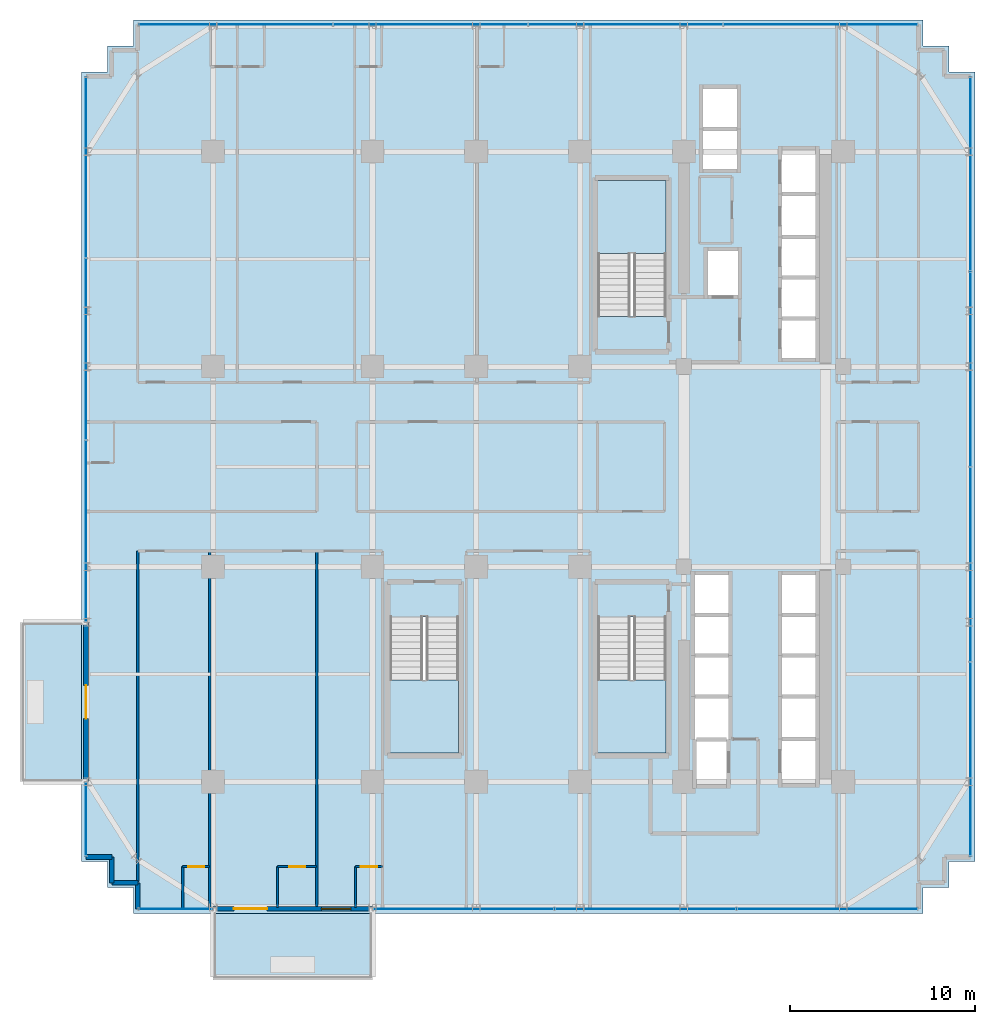
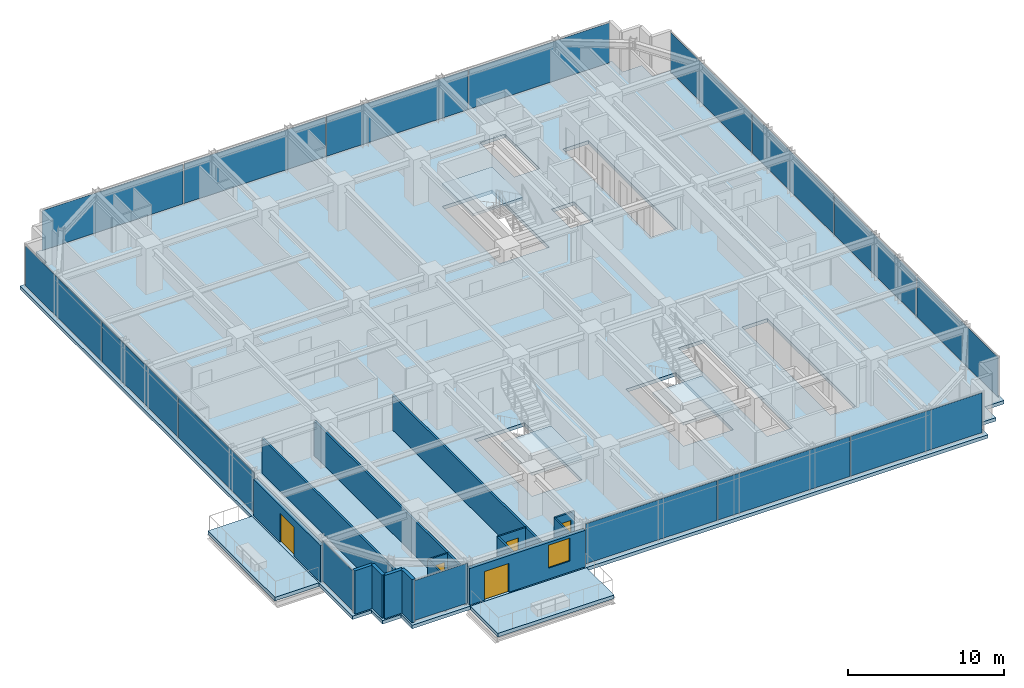
# One storey, part 25 of 32: 16 plates, 15 walls, 6 slabs, 5 doors, 1 window, 6 openings, 9 elements without a shape of their own.
"""IFC4 building model written with IfcOpenShell, lengths in metres."""

from ifc_helpers import new_model, si_unit, direction, frame, frame_2d, origin, origin_2d, place, context, subcontext, project, spatial, polyline, rectangle, outline, extrude, source, transform, mapped, material, layer, layer_set, type_object, element, fill, aggregate, save


model = new_model("IFC4")

# Units and contexts
model_context = context("Model", 3, precision=1e-05, world=origin(), true_north=direction((0.0, 1.0)))
body_context = subcontext(model_context, "Body", "Model", "MODEL_VIEW")
ifc_project = project(units=[si_unit("LENGTHUNIT", "METRE"), si_unit("AREAUNIT", "SQUARE_METRE"), si_unit("VOLUMEUNIT", "CUBIC_METRE"), si_unit("PLANEANGLEUNIT", "RADIAN"), si_unit("MASSUNIT", "GRAM", prefix="KILO")], contexts=[model_context])

# Site, building, storey
site_placement = place(None, origin())
site = spatial("IfcSite", under=ifc_project, at=site_placement, CompositionType="ELEMENT")
building_placement = place(site_placement, origin())
building = spatial("IfcBuilding", under=site, at=building_placement, Name="Nahalor Promenade Grand Hotel", CompositionType="ELEMENT")
storey_placement = place(building_placement, frame((0.0, 0.0, 124.800048828125)))
storey = spatial("IfcBuildingStorey", under=building, at=storey_placement, Name="L31", CompositionType="ELEMENT", Elevation=124.800048828125)

# Stair, slab
ifc_material_1 = material(Name="Concrete B-50 (C40/50)", Category="concrete")
stair_type_1 = type_object("IfcStairType", Name="Stair-ST1", PredefinedType="HALF_TURN_STAIR", material=ifc_material_1)
stair_1_placement = place(storey_placement, origin())
stair_1 = element("IfcStair", 1, at=stair_1_placement, inside=storey, type_object=stair_type_1, Name="L31 ST1", PredefinedType="HALF_TURN_STAIR")
ifc_layer_1 = layer(ifc_material_1, 0.199951171875)
ifc_layer_set_1 = layer_set([ifc_layer_1], Name="Concrete B-50 (C40/50)")
slab_type_1 = type_object("IfcSlabType", Name="Landing-ST1", PredefinedType="LANDING", material=ifc_layer_set_1)
slab_1_placement = place(storey_placement, frame((0.0, 0.0, 1.625)))
slab_1 = element("IfcSlab", 2, at=slab_1_placement, type_object=slab_type_1, Name="ST1 landing 1", PredefinedType="LANDING", context=body_context, shape_type="SweptSolid", body=[
    extrude(outline(polyline([(7.449951171875, 11.5), (7.449951171875, 15.449951171875), (3.75, 15.449951171875), (3.75, 11.5), (7.449951171875, 11.5)])), origin(), (0.0, 0.0, 1.0), 0.199951171875),
])
aggregate(stair_1, [slab_1])

stair_type_2 = type_object("IfcStairType", Name="Stair-ST2", PredefinedType="HALF_TURN_STAIR", material=ifc_material_1)
stair_2_placement = place(storey_placement, origin())
stair_2 = element("IfcStair", 3, at=stair_2_placement, inside=storey, type_object=stair_type_2, Name="L31 ST2", PredefinedType="HALF_TURN_STAIR")
ifc_layer_2 = layer(ifc_material_1, 0.2099609375)
ifc_layer_set_2 = layer_set([ifc_layer_2], Name="Concrete B-50 (C40/50)")
slab_type_2 = type_object("IfcSlabType", Name="Landing-ST2", PredefinedType="LANDING", material=ifc_layer_set_2)
slab_2_placement = place(storey_placement, frame((0.0, 0.0, 1.614990234375)))
slab_2 = element("IfcSlab", 4, at=slab_2_placement, type_object=slab_type_2, Name="ST2 landing 1", PredefinedType="LANDING", context=body_context, shape_type="SweptSolid", body=[
    extrude(outline(polyline([(3.75, -11.5), (3.75, -15.449951171875), (7.449951171875, -15.449951171875), (7.449951171875, -11.5), (3.75, -11.5)])), origin(), (0.0, 0.0, 1.0), 0.2099609375),
])
aggregate(stair_2, [slab_2])

stair_type_3 = type_object("IfcStairType", Name="Stair-ST3", PredefinedType="HALF_TURN_STAIR", material=ifc_material_1)
stair_3_placement = place(storey_placement, origin())
stair_3 = element("IfcStair", 5, at=stair_3_placement, inside=storey, type_object=stair_type_3, Name="L31 ST3", PredefinedType="HALF_TURN_STAIR")
ifc_layer_3 = layer(ifc_material_1, 0.219970703125)
ifc_layer_set_3 = layer_set([ifc_layer_3], Name="Concrete B-50 (C40/50)")
slab_type_3 = type_object("IfcSlabType", Name="Landing-ST3", PredefinedType="LANDING", material=ifc_layer_set_3)
slab_3_placement = place(storey_placement, frame((0.0, 0.0, 1.60498046875)))
slab_3 = element("IfcSlab", 6, at=slab_3_placement, type_object=slab_type_3, Name="ST3 landing 1", PredefinedType="LANDING", context=body_context, shape_type="SweptSolid", body=[
    extrude(outline(polyline([(-7.449951171875, -11.5), (-7.449951171875, -15.449951171875), (-3.75, -15.449951171875), (-3.75, -11.5), (-7.449951171875, -11.5)])), origin(), (0.0, 0.0, 1.0), 0.219970703125),
])
aggregate(stair_3, [slab_3])

# Slabs
ifc_layer_4 = layer(ifc_material_1, 0.280029296875)
ifc_layer_set_4 = layer_set([ifc_layer_4], Name="Concrete B-50 (C40/50)")
slab_type_4 = type_object("IfcSlabType", Name="Slab-Balcony-280", PredefinedType="FLOOR", material=ifc_layer_set_4)
slab_4_placement = place(storey_placement, frame((0.0, 0.0, -0.280029296875)))
element("IfcSlab", 7, at=slab_4_placement, inside=storey, type_object=slab_type_4, Name="L31 Cantilevered Planted Balcony 1", PredefinedType="FLOOR", context=body_context, shape_type="SweptSolid", body=[
    extrude(outline(polyline([(-17.0, -27.6298828125), (-8.39990234375, -27.6298828125), (-8.39990234375, -24.10009765625), (-17.0, -24.10009765625), (-17.0, -27.6298828125)])), origin(), (0.0, 0.0, 1.0), 0.280029296875),
])
slab_5_placement = place(storey_placement, frame((0.0, 0.0, -0.280029296875)))
element("IfcSlab", 8, at=slab_5_placement, inside=storey, type_object=slab_type_4, Name="L31 Cantilevered Planted Balcony 2", PredefinedType="FLOOR", context=body_context, shape_type="SweptSolid", body=[
    extrude(outline(polyline([(-27.35009765625, -17.0), (-24.10009765625, -17.0), (-24.10009765625, -8.39990234375), (-27.35009765625, -8.39990234375), (-27.35009765625, -17.0)])), origin(), (0.0, 0.0, 1.0), 0.280029296875),
])
ifc_layer_5 = layer(ifc_material_1, 0.27001953125)
ifc_layer_set_5 = layer_set([ifc_layer_5], Name="Concrete B-50 (C40/50)")
slab_type_5 = type_object("IfcSlabType", Name="Slab-TowerZ2-270", PredefinedType="FLOOR", material=ifc_layer_set_5)
slab_6_placement = place(storey_placement, frame((0.0, 0.0, -0.27001953125)))
element("IfcSlab", 9, at=slab_6_placement, inside=storey, type_object=slab_type_5, Name="L31 Suspended Structural Floor Slab", PredefinedType="FLOOR", context=body_context, shape_type="SweptSolid", body=[
    extrude(outline(polyline([(-21.300048828125, -24.10009765625), (21.300048828125, -24.10009765625), (21.300048828125, -22.699951171875), (22.699951171875, -22.699951171875), (22.699951171875, -21.300048828125), (24.10009765625, -21.300048828125), (24.10009765625, 21.300048828125), (22.699951171875, 21.300048828125), (22.699951171875, 22.699951171875), (21.300048828125, 22.699951171875), (21.300048828125, 24.10009765625), (-21.300048828125, 24.10009765625), (-21.300048828125, 22.699951171875), (-22.699951171875, 22.699951171875), (-22.699951171875, 21.300048828125), (-24.10009765625, 21.300048828125), (-24.10009765625, -21.300048828125), (-22.699951171875, -21.300048828125), (-22.699951171875, -22.699951171875), (-21.300048828125, -22.699951171875), (-21.300048828125, -24.10009765625)]), holes=[polyline([(3.75, 8.10009765625), (7.449951171875, 8.10009765625), (7.449951171875, 15.449951171875), (3.75, 15.449951171875), (3.75, 8.10009765625)]), polyline([(3.75, -15.449951171875), (7.449951171875, -15.449951171875), (7.449951171875, -8.10009765625), (3.75, -8.10009765625), (3.75, -15.449951171875)]), polyline([(-7.449951171875, -15.449951171875), (-3.75, -15.449951171875), (-3.75, -8.10009765625), (-7.449951171875, -8.10009765625), (-7.449951171875, -15.449951171875)]), polyline([(13.659912109375, 5.81005859375), (15.5400390625, 5.81005859375), (15.5400390625, 17.139892578125), (13.659912109375, 17.139892578125), (13.659912109375, 5.81005859375)]), polyline([(13.659912109375, -17.139892578125), (15.5400390625, -17.139892578125), (15.5400390625, -5.81005859375), (13.659912109375, -5.81005859375), (13.659912109375, -17.139892578125)]), polyline([(8.9599609375, -17.18994140625), (10.840087890625, -17.18994140625), (10.840087890625, -5.81005859375), (8.9599609375, -5.81005859375), (8.9599609375, -17.18994140625)]), polyline([(9.409912109375, 16.010009765625), (11.2900390625, 16.010009765625), (11.2900390625, 20.43994140625), (9.409912109375, 20.43994140625), (9.409912109375, 16.010009765625)]), polyline([(9.659912109375, 9.2099609375), (11.340087890625, 9.2099609375), (11.340087890625, 11.68994140625), (9.659912109375, 11.68994140625), (9.659912109375, 9.2099609375)])]), origin(), (0.0, 0.0, 1.0), 0.27001953125),
])

# Curtain wall, plate
ifc_material_2 = material(Name="Anodised Bronze Aluminium EN AW-6063 T6", Category="aluminium")
curtain_wall_type = type_object("IfcCurtainWallType", Name="CW2 Typical Hotel Flush Bronze Unitised Curtain Wall", PredefinedType="USERDEFINED", material=ifc_material_2)
curtain_wall_1_placement = place(storey_placement, origin())
curtain_wall_1 = element("IfcCurtainWall", 10, at=curtain_wall_1_placement, inside=storey, type_object=curtain_wall_type, Name="L31 Curtain Wall CW-L31-S-1", ObjectType="UNITISED_CURTAIN_WALL", PredefinedType="USERDEFINED")
ifc_material_3 = material(Name="Low-E Laminated Solar Glass", Category="glass")
ifc_layer_6 = layer(ifc_material_3, 0.028076171875)
ifc_layer_set_6 = layer_set([ifc_layer_6], Name="Low-E Laminated Solar Glass")
plate_type = type_object("IfcPlateType", Name="CWP2 Bronze Low-E Vision IGU 28mm", PredefinedType="CURTAIN_PANEL", material=ifc_layer_set_6)
shared_shape_1 = source(origin(), body_context, "Body", "SweptSolid", [
    extrude(rectangle(XDim=3.929931640625, YDim=0.028076171875, at=origin_2d()), origin(), (0.0, 0.0, 1.0), 3.1201171875),
])
plate_1_placement = place(storey_placement, frame((-19.030029296875, -23.860107421875, 0.1298828125), z_axis=(0.0, 0.0, 1.0), x_axis=(1.0, 0.0, 0.0)))
plate_1 = element("IfcPlate", 11, at=plate_1_placement, type_object=plate_type, Name="CW-L31-S-1 Glazing Panel 0-0", PredefinedType="CURTAIN_PANEL", context=body_context, shape_type="MappedRepresentation", body=[
    mapped(shared_shape_1, transform((0.0, 0.0, 0.0), scale=1.0)),
])
aggregate(curtain_wall_1, [plate_1])

curtain_wall_2_placement = place(storey_placement, origin())
curtain_wall_2 = element("IfcCurtainWall", 12, at=curtain_wall_2_placement, inside=storey, type_object=curtain_wall_type, Name="L31 Curtain Wall CW-L31-W-1", ObjectType="UNITISED_CURTAIN_WALL", PredefinedType="USERDEFINED")
plate_2_placement = place(storey_placement, frame((-23.860107421875, -19.030029296875, 0.1298828125), z_axis=(0.0, 0.0, 1.0), x_axis=(0.0, 1.0, 0.0)))
plate_2 = element("IfcPlate", 13, at=plate_2_placement, type_object=plate_type, Name="CW-L31-W-1 Glazing Panel 0-0", PredefinedType="CURTAIN_PANEL", context=body_context, shape_type="MappedRepresentation", body=[
    mapped(shared_shape_1, transform((0.0, 0.0, 0.0), scale=1.0)),
])
aggregate(curtain_wall_2, [plate_2])

# Curtain wall, plates
curtain_wall_3_placement = place(storey_placement, origin())
curtain_wall_3 = element("IfcCurtainWall", 14, at=curtain_wall_3_placement, inside=storey, type_object=curtain_wall_type, Name="L31 Curtain Wall CW-L31-S-3", ObjectType="UNITISED_CURTAIN_WALL", PredefinedType="USERDEFINED")
shared_shape_2 = source(origin(), body_context, "Body", "SweptSolid", [
    extrude(rectangle(XDim=9.722412109375, YDim=0.028076171875, at=origin_2d()), origin(), (0.0, 0.0, 1.0), 3.1201171875),
])
plate_3_placement = place(storey_placement, frame((-3.4736328125, -23.860107421875, 0.1298828125), z_axis=(0.0, 0.0, 1.0), x_axis=(1.0, 0.0, 0.0)))
plate_3 = element("IfcPlate", 15, at=plate_3_placement, type_object=plate_type, Name="CW-L31-S-3 Glazing Panel 0-0", PredefinedType="CURTAIN_PANEL", context=body_context, shape_type="MappedRepresentation", body=[
    mapped(shared_shape_2, transform((0.0, 0.0, 0.0), scale=1.0)),
])
plate_4_placement = place(storey_placement, frame((16.1337890625, -23.860107421875, 0.1298828125), z_axis=(0.0, 0.0, 1.0), x_axis=(1.0, 0.0, 0.0)))
plate_4 = element("IfcPlate", 16, at=plate_4_placement, type_object=plate_type, Name="CW-L31-S-3 Glazing Panel 2-0", PredefinedType="CURTAIN_PANEL", context=body_context, shape_type="MappedRepresentation", body=[
    mapped(shared_shape_2, transform((0.0, 0.0, 0.0), scale=1.0)),
])

curtain_wall_4_placement = place(storey_placement, origin())
curtain_wall_4 = element("IfcCurtainWall", 17, at=curtain_wall_4_placement, inside=storey, type_object=curtain_wall_type, Name="L31 Curtain Wall CW-L31-W-3", ObjectType="UNITISED_CURTAIN_WALL", PredefinedType="USERDEFINED")
plate_5_placement = place(storey_placement, frame((-23.860107421875, -3.4736328125, 0.1298828125), z_axis=(0.0, 0.0, 1.0), x_axis=(0.0, 1.0, 0.0)))
plate_5 = element("IfcPlate", 18, at=plate_5_placement, type_object=plate_type, Name="CW-L31-W-3 Glazing Panel 0-0", PredefinedType="CURTAIN_PANEL", context=body_context, shape_type="MappedRepresentation", body=[
    mapped(shared_shape_2, transform((0.0, 0.0, 0.0), scale=1.0)),
])
plate_6_placement = place(storey_placement, frame((-23.860107421875, 16.1337890625, 0.1298828125), z_axis=(0.0, 0.0, 1.0), x_axis=(0.0, 1.0, 0.0)))
plate_6 = element("IfcPlate", 19, at=plate_6_placement, type_object=plate_type, Name="CW-L31-W-3 Glazing Panel 2-0", PredefinedType="CURTAIN_PANEL", context=body_context, shape_type="MappedRepresentation", body=[
    mapped(shared_shape_2, transform((0.0, 0.0, 0.0), scale=1.0)),
])

# Plate
shared_shape_3 = source(origin(), body_context, "Body", "SweptSolid", [
    extrude(rectangle(XDim=9.7548828125, YDim=0.028076171875, at=origin_2d()), origin(), (0.0, 0.0, 1.0), 3.1201171875),
])
plate_7_placement = place(storey_placement, frame((6.330078125, -23.860107421875, 0.1298828125), z_axis=(0.0, 0.0, 1.0), x_axis=(1.0, 0.0, 0.0)))
plate_7 = element("IfcPlate", 20, at=plate_7_placement, type_object=plate_type, Name="CW-L31-S-3 Glazing Panel 1-0", PredefinedType="CURTAIN_PANEL", context=body_context, shape_type="MappedRepresentation", body=[
    mapped(shared_shape_3, transform((0.0, 0.0, 0.0), scale=1.0)),
])

aggregate(curtain_wall_3, [plate_3, plate_7, plate_4])

plate_8_placement = place(storey_placement, frame((-23.860107421875, 6.330078125, 0.1298828125), z_axis=(0.0, 0.0, 1.0), x_axis=(0.0, 1.0, 0.0)))
plate_8 = element("IfcPlate", 21, at=plate_8_placement, type_object=plate_type, Name="CW-L31-W-3 Glazing Panel 1-0", PredefinedType="CURTAIN_PANEL", context=body_context, shape_type="MappedRepresentation", body=[
    mapped(shared_shape_3, transform((0.0, 0.0, 0.0), scale=1.0)),
])

aggregate(curtain_wall_4, [plate_5, plate_8, plate_6])

# Curtain wall, plates
curtain_wall_5_placement = place(storey_placement, origin())
curtain_wall_5 = element("IfcCurtainWall", 22, at=curtain_wall_5_placement, inside=storey, type_object=curtain_wall_type, Name="L31 Curtain Wall CW-L31-N-1", ObjectType="UNITISED_CURTAIN_WALL", PredefinedType="USERDEFINED")
shared_shape_4 = source(origin(), body_context, "Body", "SweptSolid", [
    extrude(rectangle(XDim=10.4326171875, YDim=0.028076171875, at=origin_2d()), origin(), (0.0, 0.0, 1.0), 3.1201171875),
])
plate_9_placement = place(storey_placement, frame((-15.77880859375, 23.860107421875, 0.1298828125), z_axis=(0.0, 0.0, 1.0), x_axis=(1.0, 0.0, 0.0)))
plate_9 = element("IfcPlate", 23, at=plate_9_placement, type_object=plate_type, Name="CW-L31-N-1 Glazing Panel 0-0", PredefinedType="CURTAIN_PANEL", context=body_context, shape_type="MappedRepresentation", body=[
    mapped(shared_shape_4, transform((0.0, 0.0, 0.0), scale=1.0)),
])
plate_10_placement = place(storey_placement, frame((15.77880859375, 23.860107421875, 0.1298828125), z_axis=(0.0, 0.0, 1.0), x_axis=(1.0, 0.0, 0.0)))
plate_10 = element("IfcPlate", 24, at=plate_10_placement, type_object=plate_type, Name="CW-L31-N-1 Glazing Panel 3-0", PredefinedType="CURTAIN_PANEL", context=body_context, shape_type="MappedRepresentation", body=[
    mapped(shared_shape_4, transform((0.0, 0.0, 0.0), scale=1.0)),
])

curtain_wall_6_placement = place(storey_placement, origin())
curtain_wall_6 = element("IfcCurtainWall", 25, at=curtain_wall_6_placement, inside=storey, type_object=curtain_wall_type, Name="L31 Curtain Wall CW-L31-E-1", ObjectType="UNITISED_CURTAIN_WALL", PredefinedType="USERDEFINED")
plate_11_placement = place(storey_placement, frame((23.860107421875, -15.77880859375, 0.1298828125), z_axis=(0.0, 0.0, 1.0), x_axis=(0.0, 1.0, 0.0)))
plate_11 = element("IfcPlate", 26, at=plate_11_placement, type_object=plate_type, Name="CW-L31-E-1 Glazing Panel 0-0", PredefinedType="CURTAIN_PANEL", context=body_context, shape_type="MappedRepresentation", body=[
    mapped(shared_shape_4, transform((0.0, 0.0, 0.0), scale=1.0)),
])
plate_12_placement = place(storey_placement, frame((23.860107421875, 15.77880859375, 0.1298828125), z_axis=(0.0, 0.0, 1.0), x_axis=(0.0, 1.0, 0.0)))
plate_12 = element("IfcPlate", 27, at=plate_12_placement, type_object=plate_type, Name="CW-L31-E-1 Glazing Panel 3-0", PredefinedType="CURTAIN_PANEL", context=body_context, shape_type="MappedRepresentation", body=[
    mapped(shared_shape_4, transform((0.0, 0.0, 0.0), scale=1.0)),
])

# Plate
shared_shape_5 = source(origin(), body_context, "Body", "SweptSolid", [
    extrude(rectangle(XDim=10.465087890625, YDim=0.028076171875, at=origin_2d()), origin(), (0.0, 0.0, 1.0), 3.1201171875),
])
plate_13_placement = place(storey_placement, frame((-5.264892578125, 23.860107421875, 0.1298828125), z_axis=(0.0, 0.0, 1.0), x_axis=(1.0, 0.0, 0.0)))
plate_13 = element("IfcPlate", 28, at=plate_13_placement, type_object=plate_type, Name="CW-L31-N-1 Glazing Panel 1-0", PredefinedType="CURTAIN_PANEL", context=body_context, shape_type="MappedRepresentation", body=[
    mapped(shared_shape_5, transform((0.0, 0.0, 0.0), scale=1.0)),
])

plate_14_placement = place(storey_placement, frame((5.264892578125, 23.860107421875, 0.1298828125), z_axis=(0.0, 0.0, 1.0), x_axis=(1.0, 0.0, 0.0)))
plate_14 = element("IfcPlate", 29, at=plate_14_placement, type_object=plate_type, Name="CW-L31-N-1 Glazing Panel 2-0", PredefinedType="CURTAIN_PANEL", context=body_context, shape_type="MappedRepresentation", body=[
    mapped(shared_shape_5, transform((0.0, 0.0, 0.0), scale=1.0)),
])

aggregate(curtain_wall_5, [plate_9, plate_13, plate_14, plate_10])

plate_15_placement = place(storey_placement, frame((23.860107421875, -5.264892578125, 0.1298828125), z_axis=(0.0, 0.0, 1.0), x_axis=(0.0, 1.0, 0.0)))
plate_15 = element("IfcPlate", 30, at=plate_15_placement, type_object=plate_type, Name="CW-L31-E-1 Glazing Panel 1-0", PredefinedType="CURTAIN_PANEL", context=body_context, shape_type="MappedRepresentation", body=[
    mapped(shared_shape_5, transform((0.0, 0.0, 0.0), scale=1.0)),
])

plate_16_placement = place(storey_placement, frame((23.860107421875, 5.264892578125, 0.1298828125), z_axis=(0.0, 0.0, 1.0), x_axis=(0.0, 1.0, 0.0)))
plate_16 = element("IfcPlate", 31, at=plate_16_placement, type_object=plate_type, Name="CW-L31-E-1 Glazing Panel 2-0", PredefinedType="CURTAIN_PANEL", context=body_context, shape_type="MappedRepresentation", body=[
    mapped(shared_shape_5, transform((0.0, 0.0, 0.0), scale=1.0)),
])

aggregate(curtain_wall_6, [plate_11, plate_15, plate_16, plate_12])

# Walls
ifc_material_4 = material(Name="Concrete B-40 (C32/40)", Category="concrete")
ifc_layer_7 = layer(ifc_material_4, 0.25)
ifc_layer_set_7 = layer_set([ifc_layer_7], Name="Concrete B-40 (C32/40)")
wall_type_1 = type_object("IfcWallType", Name="Wall-BronzePier-250", PredefinedType="STANDARD", material=ifc_layer_set_7)
shared_shape_6 = source(origin(), body_context, "Body", "SweptSolid", [
    extrude(rectangle(XDim=1.400146484375, YDim=0.25, at=frame_2d((0.7001953125, 0.0))), origin(), (0.0, 0.0, 1.0), 3.3798828125),
])
for number, where, z_axis, x_axis, name in (
    (32, (-23.860107421875, -21.06005859375, 0.0), (0.0, 0.0, 1.0), (1.0, 0.0, 0.0), "W-L31-SR-13"),
    (33, (-21.06005859375, -23.860107421875, 0.0), (0.0, 0.0, 1.0), (0.0, 1.0, 0.0), "W-L31-SR-16"),
):
    element("IfcWall", number, at=place(storey_placement, frame(where, z_axis=z_axis, x_axis=x_axis)), inside=storey, type_object=wall_type_1, Name=name, PredefinedType="STANDARD", context=body_context, shape_type="MappedRepresentation", body=[
        mapped(shared_shape_6, transform((0.0, 0.0, 0.0), scale=1.0)),
    ])
shared_shape_7 = source(origin(), body_context, "Body", "SweptSolid", [
    extrude(rectangle(XDim=1.39990234375, YDim=0.25, at=frame_2d((0.699951171875, 0.0))), origin(), (0.0, 0.0, 1.0), 3.3798828125),
])
for number, where, z_axis, x_axis, name in (
    (34, (-22.4599609375, -22.4599609375, 0.0), (0.0, 0.0, 1.0), (0.0, 1.0, 0.0), "W-L31-SR-14"),
    (35, (-22.4599609375, -22.4599609375, 0.0), (0.0, 0.0, 1.0), (1.0, 0.0, 0.0), "W-L31-SR-15"),
):
    element("IfcWall", number, at=place(storey_placement, frame(where, z_axis=z_axis, x_axis=x_axis)), inside=storey, type_object=wall_type_1, Name=name, PredefinedType="STANDARD", context=body_context, shape_type="MappedRepresentation", body=[
        mapped(shared_shape_7, transform((0.0, 0.0, 0.0), scale=1.0)),
    ])

# Wall, openings, door, window
ifc_layer_8 = layer(ifc_material_4, 0.260009765625)
ifc_layer_set_8 = layer_set([ifc_layer_8], Name="Concrete B-40 (C32/40)")
wall_type_2 = type_object("IfcWallType", Name="Wall-BalconyWall-260", PredefinedType="STANDARD", material=ifc_layer_set_8)
shared_shape_8 = source(origin(), body_context, "Body", "SweptSolid", [
    extrude(rectangle(XDim=8.60009765625, YDim=0.260009765625, at=frame_2d((4.300048828125, 0.0))), origin(), (0.0, 0.0, 1.0), 2.85986328125),
])
wall_1_placement = place(storey_placement, frame((-17.0, -23.860107421875, 0.0), z_axis=(0.0, 0.0, 1.0), x_axis=(1.0, 0.0, 0.0)))
wall_1 = element("IfcWall", 36, at=wall_1_placement, inside=storey, type_object=wall_type_2, Name="W-L31-BALC-S-2", PredefinedType="STANDARD", context=body_context, shape_type="MappedRepresentation", body=[
    mapped(shared_shape_8, transform((0.0, 0.0, 0.0), scale=1.0)),
])
opening_1_placement = place(wall_1_placement, frame((1.114990234375, 0.0, 0.0)))
opening_1 = element("IfcOpeningElement", 37, at=opening_1_placement, cuts=wall_1, Name="Opening D-BC1", PredefinedType="OPENING", context=body_context, shape_type="SweptSolid", body=[
    extrude(rectangle(XDim=1.800048828125, YDim=2.25, at=frame_2d((0.89990234375, 1.125))), frame((0.0, 0.139892578125, 0.0), z_axis=(0.0, -1.0, 0.0), x_axis=(1.0, 0.0, 0.0)), (0.0, 0.0, 1.0), 0.280029296875),
])
opening_2_placement = place(wall_1_placement, frame((5.840087890625, 0.0, 0.85009765625)))
opening_2 = element("IfcOpeningElement", 38, at=opening_2_placement, cuts=wall_1, Name="Opening WN-03", PredefinedType="OPENING", context=body_context, shape_type="SweptSolid", body=[
    extrude(rectangle(XDim=1.60009765625, YDim=1.800048828125, at=frame_2d((0.800048828125, 0.89990234375))), frame((0.0, 0.139892578125, 0.0), z_axis=(0.0, -1.0, 0.0), x_axis=(1.0, 0.0, 0.0)), (0.0, 0.0, 1.0), 0.280029296875),
])
door_type_1 = type_object("IfcDoorType", Name="Door-BalconySlide-1800", OperationType="DOUBLE_DOOR_SLIDING", PredefinedType="DOOR", material=ifc_material_2)
shared_shape_9 = source(origin(), body_context, "Body", "SweptSolid", [
    extrude(rectangle(XDim=1.800048828125, YDim=2.25, at=frame_2d((0.89990234375, 1.125))), frame((0.0, 0.02490234375, 0.0), z_axis=(0.0, -1.0, 0.0), x_axis=(1.0, 0.0, 0.0)), (0.0, 0.0, 1.0), 0.050048828125),
])
door_1_placement = place(opening_1_placement, frame((1.800048828125, 0.0, 0.0), z_axis=(0.0, 0.0, 1.0), x_axis=(-1.0, 0.0, 0.0)))
door_1 = element("IfcDoor", 39, at=door_1_placement, inside=storey, type_object=door_type_1, Name="DR-L31-BALC-S-2", OperationType="DOUBLE_DOOR_SLIDING", OverallHeight=2.25, OverallWidth=1.800048828125, PredefinedType="DOOR", context=body_context, shape_type="MappedRepresentation", body=[
    mapped(shared_shape_9, transform((0.0, 0.0, 0.0), scale=1.0)),
])
fill(opening_1, door_1)
window_type = type_object("IfcWindowType", Name="Win-CrownVented-1600x1800", PartitioningType="SINGLE_PANEL", PredefinedType="WINDOW", material=ifc_material_3)
shared_shape_10 = source(origin(), body_context, "Body", "SweptSolid", [
    extrude(rectangle(XDim=1.60009765625, YDim=1.800048828125, at=frame_2d((0.800048828125, 0.89990234375))), frame((0.0, 0.030029296875, 0.0), z_axis=(0.0, -1.0, 0.0), x_axis=(1.0, 0.0, 0.0)), (0.0, 0.0, 1.0), 0.06005859375),
])
window_placement = place(opening_2_placement, origin())
window = element("IfcWindow", 40, at=window_placement, inside=storey, type_object=window_type, Name="WN-L31-BALC-S-2-1", OverallHeight=1.800048828125, OverallWidth=1.60009765625, PartitioningType="SINGLE_PANEL", PredefinedType="WINDOW", context=body_context, shape_type="MappedRepresentation", body=[
    mapped(shared_shape_10, transform((0.0, 0.0, 0.0), scale=1.0)),
])
fill(opening_2, window)

# Wall, opening, door
wall_2_placement = place(storey_placement, frame((-23.860107421875, -17.0, 0.0), z_axis=(0.0, 0.0, 1.0), x_axis=(0.0, 1.0, 0.0)))
wall_2 = element("IfcWall", 41, at=wall_2_placement, inside=storey, type_object=wall_type_2, Name="W-L31-BALC-W-2", PredefinedType="STANDARD", context=body_context, shape_type="MappedRepresentation", body=[
    mapped(shared_shape_8, transform((0.0, 0.0, 0.0), scale=1.0)),
])
opening_3_placement = place(wall_2_placement, frame((3.39990234375, 0.0, 0.0)))
opening_3 = element("IfcOpeningElement", 42, at=opening_3_placement, cuts=wall_2, Name="Opening D-BC1", PredefinedType="OPENING", context=body_context, shape_type="SweptSolid", body=[
    extrude(rectangle(XDim=1.800048828125, YDim=2.25, at=frame_2d((0.89990234375, 1.125))), frame((0.0, 0.139892578125, 0.0), z_axis=(0.0, -1.0, 0.0), x_axis=(1.0, 0.0, 0.0)), (0.0, 0.0, 1.0), 0.280029296875),
])
door_2_placement = place(opening_3_placement, origin())
door_2 = element("IfcDoor", 43, at=door_2_placement, inside=storey, type_object=door_type_1, Name="DR-L31-BALC-W-2", OperationType="DOUBLE_DOOR_SLIDING", OverallHeight=2.25, OverallWidth=1.800048828125, PredefinedType="DOOR", context=body_context, shape_type="MappedRepresentation", body=[
    mapped(shared_shape_9, transform((0.0, 0.0, 0.0), scale=1.0)),
])
fill(opening_3, door_2)

# Walls
ifc_material_5 = material(Name="Acoustic Mineral Gypsum", Category="gypsum")
ifc_layer_9 = layer(ifc_material_5, 0.139892578125)
ifc_layer_set_9 = layer_set([ifc_layer_9], Name="Acoustic Mineral Gypsum")
wall_type_3 = type_object("IfcWallType", Name="Wall-PartSuite-140", PredefinedType="PARTITIONING", material=ifc_layer_set_9)
shared_shape_11 = source(origin(), body_context, "Body", "SweptSolid", [
    extrude(rectangle(XDim=17.829833984375, YDim=0.139892578125, at=frame_2d((8.9150390625, 0.0))), origin(), (0.0, 0.0, 1.0), 2.719970703125),
])
wall_3_placement = place(storey_placement, frame((-21.06005859375, -22.3798828125, 0.0), z_axis=(0.0, 0.0, 1.0), x_axis=(0.0, 1.0, 0.0)))
element("IfcWall", 44, at=wall_3_placement, inside=storey, type_object=wall_type_3, Name="W-L31-SW-ENDW", PredefinedType="PARTITIONING", context=body_context, shape_type="MappedRepresentation", body=[
    mapped(shared_shape_11, transform((0.0, 0.0, 0.0), scale=1.0)),
])
shared_shape_12 = source(origin(), body_context, "Body", "SweptSolid", [
    extrude(rectangle(XDim=19.25, YDim=0.139892578125, at=frame_2d((9.625, 0.0))), origin(), (0.0, 0.0, 1.0), 2.719970703125),
])
for number, where, z_axis, x_axis, name in (
    (45, (-17.18994140625, -23.800048828125, 0.0), (0.0, 0.0, 1.0), (0.0, 1.0, 0.0), "W-L31-SP-1"),
    (46, (-11.409912109375, -23.800048828125, 0.0), (0.0, 0.0, 1.0), (0.0, 1.0, 0.0), "W-L31-SP-2"),
):
    element("IfcWall", number, at=place(storey_placement, frame(where, z_axis=z_axis, x_axis=x_axis)), inside=storey, type_object=wall_type_3, Name=name, PredefinedType="PARTITIONING", context=body_context, shape_type="MappedRepresentation", body=[
        mapped(shared_shape_12, transform((0.0, 0.0, 0.0), scale=1.0)),
    ])
ifc_layer_10 = layer(ifc_material_5, 0.1201171875)
ifc_layer_set_10 = layer_set([ifc_layer_10], Name="Acoustic Mineral Gypsum")
wall_type_4 = type_object("IfcWallType", Name="Wall-PartBath-120", PredefinedType="PARTITIONING", material=ifc_layer_set_10)
shared_shape_13 = source(origin(), body_context, "Body", "SweptSolid", [
    extrude(rectangle(XDim=2.219970703125, YDim=0.1201171875, at=frame_2d((1.10986328125, 0.0))), origin(), (0.0, 0.0, 1.0), 2.719970703125),
])
for number, where, z_axis, x_axis, name in (
    (47, (-18.639892578125, -23.800048828125, 0.0), (0.0, 0.0, 1.0), (0.0, 1.0, 0.0), "W-L31-S1-BV"),
    (48, (-13.52001953125, -23.800048828125, 0.0), (0.0, 0.0, 1.0), (0.0, 1.0, 0.0), "W-L31-S2-BV"),
    (49, (-9.31005859375, -23.800048828125, 0.0), (0.0, 0.0, 1.0), (0.0, 1.0, 0.0), "W-L31-S3-BV"),
):
    element("IfcWall", number, at=place(storey_placement, frame(where, z_axis=z_axis, x_axis=x_axis)), inside=storey, type_object=wall_type_4, Name=name, PredefinedType="PARTITIONING", context=body_context, shape_type="MappedRepresentation", body=[
        mapped(shared_shape_13, transform((0.0, 0.0, 0.0), scale=1.0)),
    ])

# Wall, opening, door
shared_shape_14 = source(origin(), body_context, "Body", "SweptSolid", [
    extrude(rectangle(XDim=1.449951171875, YDim=0.1201171875, at=frame_2d((0.72509765625, 0.0))), origin(), (0.0, 0.0, 1.0), 2.719970703125),
])
wall_4_placement = place(storey_placement, frame((-18.639892578125, -21.580078125, 0.0), z_axis=(0.0, 0.0, 1.0), x_axis=(1.0, 0.0, 0.0)))
wall_4 = element("IfcWall", 50, at=wall_4_placement, inside=storey, type_object=wall_type_4, Name="W-L31-S1-BH", PredefinedType="PARTITIONING", context=body_context, shape_type="MappedRepresentation", body=[
    mapped(shared_shape_14, transform((0.0, 0.0, 0.0), scale=1.0)),
])
opening_4_placement = place(wall_4_placement, frame((0.284912109375, 0.0, 0.0)))
opening_4 = element("IfcOpeningElement", 51, at=opening_4_placement, cuts=wall_4, Name="Opening D-03", PredefinedType="OPENING", context=body_context, shape_type="SweptSolid", body=[
    extrude(rectangle(XDim=0.8798828125, YDim=2.10009765625, at=frame_2d((0.43994140625, 1.050048828125))), frame((0.0, 0.070068359375, 0.0), z_axis=(0.0, -1.0, 0.0), x_axis=(1.0, 0.0, 0.0)), (0.0, 0.0, 1.0), 0.14013671875),
])
ifc_material_6 = material(Name="Fire-Rated Timber Composite", Category="wood")
door_type_2 = type_object("IfcDoorType", Name="Door-BathSwing-880", OperationType="NOTDEFINED", PredefinedType="DOOR", material=ifc_material_6)
shared_shape_15 = source(origin(), body_context, "Body", "SweptSolid", [
    extrude(rectangle(XDim=0.8798828125, YDim=2.10009765625, at=frame_2d((0.43994140625, 1.050048828125))), frame((0.0, 0.02490234375, 0.0), z_axis=(0.0, -1.0, 0.0), x_axis=(1.0, 0.0, 0.0)), (0.0, 0.0, 1.0), 0.050048828125),
])
door_3_placement = place(opening_4_placement, frame((0.8798828125, 0.0, 0.0), z_axis=(0.0, 0.0, 1.0), x_axis=(-1.0, 0.0, 0.0)))
door_3 = element("IfcDoor", 52, at=door_3_placement, inside=storey, type_object=door_type_2, Name="DR-L31-S1-BATH", OperationType="SINGLE_SWING_RIGHT", OverallHeight=2.10009765625, OverallWidth=0.8798828125, PredefinedType="DOOR", context=body_context, shape_type="MappedRepresentation", body=[
    mapped(shared_shape_15, transform((0.0, 0.0, 0.0), scale=1.0)),
])
fill(opening_4, door_3)

wall_5_placement = place(storey_placement, frame((-9.31005859375, -21.580078125, 0.0), z_axis=(0.0, 0.0, 1.0), x_axis=(1.0, 0.0, 0.0)))
wall_5 = element("IfcWall", 53, at=wall_5_placement, inside=storey, type_object=wall_type_4, Name="W-L31-S3-BH", PredefinedType="PARTITIONING", context=body_context, shape_type="MappedRepresentation", body=[
    mapped(shared_shape_14, transform((0.0, 0.0, 0.0), scale=1.0)),
])
opening_5_placement = place(wall_5_placement, frame((0.284912109375, 0.0, 0.0)))
opening_5 = element("IfcOpeningElement", 54, at=opening_5_placement, cuts=wall_5, Name="Opening D-03", PredefinedType="OPENING", context=body_context, shape_type="SweptSolid", body=[
    extrude(rectangle(XDim=0.8798828125, YDim=2.10009765625, at=frame_2d((0.43994140625, 1.050048828125))), frame((0.0, 0.070068359375, 0.0), z_axis=(0.0, -1.0, 0.0), x_axis=(1.0, 0.0, 0.0)), (0.0, 0.0, 1.0), 0.14013671875),
])
door_4_placement = place(opening_5_placement, frame((0.8798828125, 0.0, 0.0), z_axis=(0.0, 0.0, 1.0), x_axis=(-1.0, 0.0, 0.0)))
door_4 = element("IfcDoor", 55, at=door_4_placement, inside=storey, type_object=door_type_2, Name="DR-L31-S3-BATH", OperationType="SINGLE_SWING_RIGHT", OverallHeight=2.10009765625, OverallWidth=0.8798828125, PredefinedType="DOOR", context=body_context, shape_type="MappedRepresentation", body=[
    mapped(shared_shape_15, transform((0.0, 0.0, 0.0), scale=1.0)),
])
fill(opening_5, door_4)

shared_shape_16 = source(origin(), body_context, "Body", "SweptSolid", [
    extrude(rectangle(XDim=2.110107421875, YDim=0.1201171875, at=frame_2d((1.05517578125, 0.0))), origin(), (0.0, 0.0, 1.0), 2.719970703125),
])
wall_6_placement = place(storey_placement, frame((-13.52001953125, -21.580078125, 0.0), z_axis=(0.0, 0.0, 1.0), x_axis=(1.0, 0.0, 0.0)))
wall_6 = element("IfcWall", 56, at=wall_6_placement, inside=storey, type_object=wall_type_4, Name="W-L31-S2-BH", PredefinedType="PARTITIONING", context=body_context, shape_type="MappedRepresentation", body=[
    mapped(shared_shape_16, transform((0.0, 0.0, 0.0), scale=1.0)),
])
opening_6_placement = place(wall_6_placement, frame((0.614990234375, 0.0, 0.0)))
opening_6 = element("IfcOpeningElement", 57, at=opening_6_placement, cuts=wall_6, Name="Opening D-03", PredefinedType="OPENING", context=body_context, shape_type="SweptSolid", body=[
    extrude(rectangle(XDim=0.8798828125, YDim=2.10009765625, at=frame_2d((0.43994140625, 1.050048828125))), frame((0.0, 0.070068359375, 0.0), z_axis=(0.0, -1.0, 0.0), x_axis=(1.0, 0.0, 0.0)), (0.0, 0.0, 1.0), 0.14013671875),
])
door_5_placement = place(opening_6_placement, frame((0.8798828125, 0.0, 0.0), z_axis=(0.0, 0.0, 1.0), x_axis=(-1.0, 0.0, 0.0)))
door_5 = element("IfcDoor", 58, at=door_5_placement, inside=storey, type_object=door_type_2, Name="DR-L31-S2-BATH", OperationType="SINGLE_SWING_RIGHT", OverallHeight=2.10009765625, OverallWidth=0.8798828125, PredefinedType="DOOR", context=body_context, shape_type="MappedRepresentation", body=[
    mapped(shared_shape_15, transform((0.0, 0.0, 0.0), scale=1.0)),
])
fill(opening_6, door_5)

save(model, "model.ifc")
